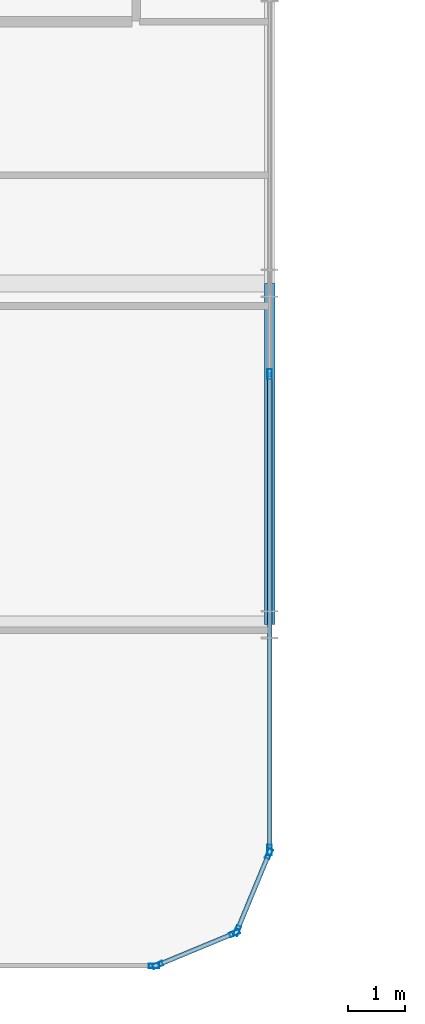
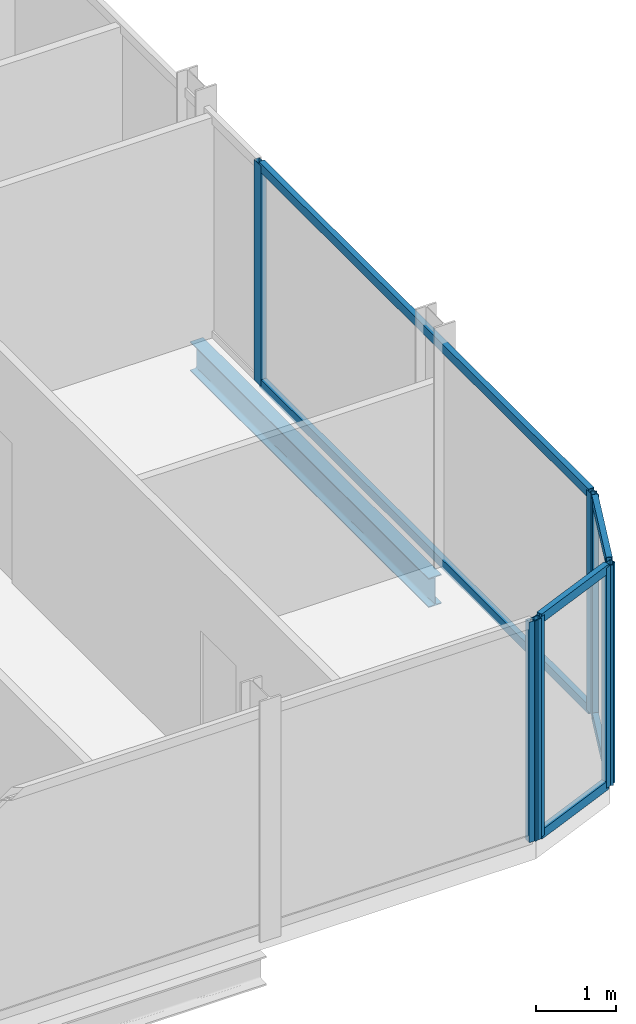
# One storey, part 11 of 32: 13 members, 1 beam, 4 elements without a shape of their own.
"""IFC4 building model written with IfcOpenShell, lengths in metres."""

import ifcopenshell
import ifcopenshell.guid

model = None  # the IFC model being written
_history = None  # IfcOwnerHistory: only IFC2X3 demands one
_inside = {}  # id of a spatial element -> (the spatial element, [elements in it])
_under = {}  # id of a project, library or spatial element -> (it, [spatial elements below it])
_declared = {}  # id of a project -> (the project, [libraries it declares])
_typed = {}  # id of a type object -> (the type object, [elements of that type])
_made_of = {}  # id of a material, layer set ... -> (it, [elements and type objects made of it])


def new_model(schema):
    """Start an empty IFC model of exactly this schema.

    Asked for "IFC4X3", IfcOpenShell would pick the latest addendum, in which some entities
    have other attributes; the version numbers below select the first issue.
    IFC2X3 requires an IfcOwnerHistory on every rooted entity: one is made here for all.
    """
    global model, _history
    if schema == "IFC4X3":
        model = ifcopenshell.file(schema_version=(4, 3, 0, 0))
    else:
        model = ifcopenshell.file(schema=schema)
    _inside.clear()
    _under.clear()
    _declared.clear()
    _typed.clear()
    _made_of.clear()
    _history = None
    if model.schema == "IFC2X3":
        org = make("IfcOrganization", Name="unknown")
        user = make(
            "IfcPersonAndOrganization",
            ThePerson=make("IfcPerson", FamilyName="unknown"),
            TheOrganization=org,
        )
        app = make(
            "IfcApplication",
            ApplicationDeveloper=org,
            Version="unknown",
            ApplicationFullName="unknown",
            ApplicationIdentifier="unknown",
        )
        _history = make(
            "IfcOwnerHistory",
            OwningUser=user,
            OwningApplication=app,
            ChangeAction="ADDED",
            CreationDate=0,
        )
    return model


def make(cls, **values):
    """One entity of the class cls with the attributes given. An attribute that is None is left unset."""
    return model.create_entity(
        cls, **{name: value for name, value in values.items() if value is not None}
    )


def rooted(cls, **values):
    """An entity with a GlobalId (a new one), such as an element, a storey or a relation."""
    return make(cls, GlobalId=ifcopenshell.guid.new(), OwnerHistory=_history, **values)


def si_unit(unit_type, name, prefix=None):
    """IfcSIUnit, for example si_unit("LENGTHUNIT", "METRE", prefix="MILLI")."""
    return make("IfcSIUnit", UnitType=unit_type, Prefix=prefix, Name=name)


def assignment(units):
    """IfcUnitAssignment: the units of a project."""
    return None if units is None else make("IfcUnitAssignment", Units=units)


def point(xyz):
    """IfcCartesianPoint."""
    return None if xyz is None else make("IfcCartesianPoint", Coordinates=xyz)


def direction(xyz):
    """IfcDirection."""
    return None if xyz is None else make("IfcDirection", DirectionRatios=xyz)


def frame(location, z_axis=None, x_axis=None):
    """IfcAxis2Placement3D, a coordinate frame: its origin and axes. An axis left out is left unset."""
    return make(
        "IfcAxis2Placement3D",
        Location=point(location),
        Axis=direction(z_axis),
        RefDirection=direction(x_axis),
    )


def frame_2d(location, x_axis=None):
    """IfcAxis2Placement2D, a coordinate frame in the plane: its origin and x axis."""
    return make(
        "IfcAxis2Placement2D", Location=point(location), RefDirection=direction(x_axis)
    )


def origin():
    """The frame at (0, 0, 0) with its axes left unset."""
    return frame((0.0, 0.0, 0.0))


def origin_2d():
    """The frame at (0, 0) in the plane with its x axis left unset."""
    return frame_2d((0.0, 0.0))


def place(relative_to, where):
    """IfcLocalPlacement: puts the frame where relative to a parent placement (None: the world)."""
    return make(
        "IfcLocalPlacement", PlacementRelTo=relative_to, RelativePlacement=where
    )


def context(
    kind, dimensions, precision=None, world=None, true_north=None, identifier=None
):
    """IfcGeometricRepresentationContext, for example the 3D "Model" context."""
    return make(
        "IfcGeometricRepresentationContext",
        ContextIdentifier=identifier,
        ContextType=kind,
        CoordinateSpaceDimension=dimensions,
        Precision=precision,
        WorldCoordinateSystem=world,
        TrueNorth=true_north,
    )


def subcontext(parent, identifier, kind, view, scale=None):
    """IfcGeometricRepresentationSubContext, for example "Body" below "Model"."""
    return make(
        "IfcGeometricRepresentationSubContext",
        ContextIdentifier=identifier,
        ContextType=kind,
        ParentContext=parent,
        TargetScale=scale,
        TargetView=view,
    )


def project(units=None, contexts=None):
    """IfcProject with its units and contexts."""
    return rooted(
        "IfcProject",
        Name="project",
        RepresentationContexts=contexts,
        UnitsInContext=assignment(units),
    )


def spatial(cls, under=None, at=None, **own):
    """A site, building, storey or space (cls), placed at a placement, below another one or the project."""
    s = rooted(cls, ObjectPlacement=at, **own)
    if under is not None:
        _under.setdefault(under.id(), (under, []))[1].append(s)
    return s


def profile(cls, at=None, kind="AREA", **sizes):
    """A parametric profile (cls). Its sizes go by their IFC names, for example OverallWidth=200.0."""
    return make(cls, ProfileType=kind, Position=at, **sizes)


def hollow_rectangle(**sizes):
    """IfcRectangleHollowProfileDef."""
    return profile("IfcRectangleHollowProfileDef", **sizes)


def i_section(**sizes):
    """IfcIShapeProfileDef."""
    return profile("IfcIShapeProfileDef", **sizes)


def extrude(swept, where, along, depth):
    """IfcExtrudedAreaSolid: the profile swept, set in the frame where, extruded along a direction by depth."""
    return make(
        "IfcExtrudedAreaSolid",
        SweptArea=swept,
        Position=where,
        ExtrudedDirection=direction(along),
        Depth=depth,
    )


def shape(context_of_items, identifier, shape_type, items):
    """IfcShapeRepresentation: the items that make up one representation, for example the "Body"."""
    return make(
        "IfcShapeRepresentation",
        ContextOfItems=context_of_items,
        RepresentationIdentifier=identifier,
        RepresentationType=shape_type,
        Items=items,
    )


def material(Name=None, Category=None):
    """IfcMaterial."""
    return make("IfcMaterial", Name=Name, Category=Category)


def layer(
    of_material, thickness, ventilated=None, Name=None, Category=None, Priority=None
):
    """IfcMaterialLayer: one layer of a wall or slab, of a material (None: an air gap)."""
    return make(
        "IfcMaterialLayer",
        Material=of_material,
        LayerThickness=thickness,
        IsVentilated=ventilated,
        Name=Name,
        Category=Category,
        Priority=Priority,
    )


def layer_set(layers, Name=None):
    """IfcMaterialLayerSet."""
    return make("IfcMaterialLayerSet", MaterialLayers=layers, LayerSetName=Name)


def material_profile(
    of_material, cross_section, Name=None, Category=None, Priority=None
):
    """IfcMaterialProfile: a cross section and its material."""
    return make(
        "IfcMaterialProfile",
        Name=Name,
        Material=of_material,
        Profile=cross_section,
        Priority=Priority,
        Category=Category,
    )


def profile_set(profiles, Name=None, composite=None):
    """IfcMaterialProfileSet."""
    return make(
        "IfcMaterialProfileSet",
        Name=Name,
        MaterialProfiles=profiles,
        CompositeProfile=composite,
    )


def made_of(thing, what):
    """Note that an element or type object is made of a material, layer set ...; save() writes the relation."""
    if what is not None:
        _made_of.setdefault(what.id(), (what, []))[1].append(thing)
    return thing


def type_object(cls, material=None, **own):
    """A type object (cls), such as IfcWallType, which elements share."""
    return made_of(rooted(cls, **own), material)


def element(
    cls,
    number,
    at=None,
    inside=None,
    cuts=None,
    type_object=None,
    material=None,
    context=None,
    identifier="Body",
    shape_type=None,
    held_by="IfcProductDefinitionShape",
    body=None,
    shapes=None,
    **own,
):
    """One element of the class cls, such as IfcWall. Its Tag is "e" and its number.

    at: its placement. inside: the storey or other place that contains it. cuts: it is an
    opening in that element (IfcRelVoidsElement). A single representation is given by context,
    identifier, shape_type and body (its items); several are given by shapes. held_by: the class
    of the entity that holds the representations. save() writes the other relations.
    """
    e = rooted(cls, Tag="e%d" % number, ObjectPlacement=at, **own)
    if body is not None:
        shapes = [shape(context, identifier, shape_type, body)]
    if shapes is not None:
        e.Representation = make(held_by, Representations=shapes)
    if inside is not None:
        _inside.setdefault(inside.id(), (inside, []))[1].append(e)
    if cuts is not None:
        rooted(
            "IfcRelVoidsElement", RelatingBuildingElement=cuts, RelatedOpeningElement=e
        )
    if type_object is not None:
        _typed.setdefault(type_object.id(), (type_object, []))[1].append(e)
    return made_of(e, material)


def aggregate(whole, parts):
    """IfcRelAggregates: a whole, such as a stair, and the parts it consists of."""
    return rooted("IfcRelAggregates", RelatingObject=whole, RelatedObjects=parts)


def save(model, path):
    """Write the relations noted so far, then the file.

    IfcRelAggregates (storeys below a building ...), IfcRelContainedInSpatialStructure (elements
    in a storey), IfcRelDefinesByType, IfcRelAssociatesMaterial and IfcRelDeclares: one each for
    every whole, place, type object, material and project.
    """
    for whole, parts in _under.values():
        aggregate(whole, parts)
    for where, things in _inside.values():
        rooted(
            "IfcRelContainedInSpatialStructure",
            RelatedElements=things,
            RelatingStructure=where,
        )
    for kind, things in _typed.values():
        rooted("IfcRelDefinesByType", RelatedObjects=things, RelatingType=kind)
    for what, things in _made_of.values():
        rooted("IfcRelAssociatesMaterial", RelatedObjects=things, RelatingMaterial=what)
    for by, libraries in _declared.values():
        rooted("IfcRelDeclares", RelatingContext=by, RelatedDefinitions=libraries)
    model.write(path)


model = new_model("IFC4")

# Units and contexts
model_context = context("Model", 3, precision=1e-05, world=origin(), true_north=direction((0.0, 1.0)))
body_context = subcontext(model_context, "Body", "Model", "MODEL_VIEW")
ifc_project = project(units=[si_unit("LENGTHUNIT", "METRE"), si_unit("AREAUNIT", "SQUARE_METRE"), si_unit("VOLUMEUNIT", "CUBIC_METRE"), si_unit("PLANEANGLEUNIT", "RADIAN"), si_unit("MASSUNIT", "GRAM", prefix="KILO")], contexts=[model_context])

# Site, building, storey
site_placement = place(None, origin())
site = spatial("IfcSite", under=ifc_project, at=site_placement, CompositionType="ELEMENT")
building_placement = place(site_placement, origin())
building = spatial("IfcBuilding", under=site, at=building_placement, Name="Keshet Zoharim Tower", CompositionType="ELEMENT")
storey_placement = place(building_placement, frame((0.0, 0.0, 152.0)))
storey = spatial("IfcBuildingStorey", under=building, at=storey_placement, Name="L37", CompositionType="ELEMENT", Elevation=152.0)

# Beam
ifc_material_1 = material(Name="Steel S355", Category="steel")
ifc_material_profile_1 = material_profile(ifc_material_1, i_section(OverallWidth=0.18994140625, OverallDepth=0.449951171875, WebThickness=0.009521484375, FlangeThickness=0.0146484375, FilletRadius=0.02099609375, at=origin_2d()), Name="IPE450")
ifc_profile_set_1 = profile_set([ifc_material_profile_1], Name="Steel S355")
beam_type = type_object("IfcBeamType", Name="BM-PRI-IP450", PredefinedType="BEAM", material=ifc_profile_set_1)
beam_placement = place(storey_placement, frame((57.0, 6.699951171875, -0.5400390625), z_axis=(0.0, 1.0, 0.0), x_axis=(-1.0, 0.0, 0.0)))
element("IfcBeam", 1, at=beam_placement, inside=storey, type_object=beam_type, Name="L37 Primary Girder Y-013", PredefinedType="BEAM", context=body_context, shape_type="SweptSolid", body=[
    extrude(i_section(OverallWidth=0.18994140625, OverallDepth=0.449951171875, WebThickness=0.009521484375, FlangeThickness=0.0146484375, FilletRadius=0.02099609375, at=origin_2d()), origin(), (0.0, 0.0, 1.0), 6.0),
])

# Curtain wall, members
ifc_material_2 = material(Name="Aluminium 6063-T6", Category="aluminium")
ifc_layer = layer(ifc_material_2, 0.159912109375)
ifc_layer_set = layer_set([ifc_layer], Name="Aluminium 6063-T6")
curtain_wall_type = type_object("IfcCurtainWallType", Name="CW-SYS-03", PredefinedType="NOTDEFINED", material=ifc_layer_set)
curtain_wall_1_placement = place(storey_placement, origin())
curtain_wall_1 = element("IfcCurtainWall", 2, at=curtain_wall_1_placement, inside=storey, type_object=curtain_wall_type, Name="L37 Unitised Curtain Wall 01", PredefinedType="NOTDEFINED")
ifc_material_profile_2 = material_profile(ifc_material_2, hollow_rectangle(XDim=0.080078125, YDim=0.179931640625, WallThickness=0.00439453125, at=origin_2d()), Name="MUL-80x180")
ifc_profile_set_2 = profile_set([ifc_material_profile_2], Name="Aluminium 6063-T6")
member_type_1 = type_object("IfcMemberType", Name="CWM-M18", PredefinedType="MULLION", material=ifc_profile_set_2)
member_1_placement = place(storey_placement, frame((56.986572265625, 2.667724609375, 0.0), z_axis=(0.0, 0.0, 1.0), x_axis=(0.92380975372, -0.382851849847, 0.0)))
member_1 = element("IfcMember", 3, at=member_1_placement, type_object=member_type_1, Name="CW-03 mullion 1", PredefinedType="MULLION", context=body_context, shape_type="SweptSolid", body=[
    extrude(hollow_rectangle(XDim=0.080078125, YDim=0.179931640625, WallThickness=0.00439453125, at=origin_2d()), origin(), (0.0, 0.0, 1.0), 3.385009765625),
])
member_2_placement = place(storey_placement, frame((56.427490234375, 1.318359375, 0.0), z_axis=(0.0, 0.0, 1.0), x_axis=(0.92380975372, -0.382851849847, 0.0)))
member_2 = element("IfcMember", 4, at=member_2_placement, type_object=member_type_1, Name="CW-03 mullion 2", PredefinedType="MULLION", context=body_context, shape_type="SweptSolid", body=[
    extrude(hollow_rectangle(XDim=0.080078125, YDim=0.179931640625, WallThickness=0.00439453125, at=origin_2d()), origin(), (0.0, 0.0, 1.0), 3.385009765625),
])

curtain_wall_2_placement = place(storey_placement, origin())
curtain_wall_2 = element("IfcCurtainWall", 5, at=curtain_wall_2_placement, inside=storey, type_object=curtain_wall_type, Name="L37 Unitised Curtain Wall 02", PredefinedType="NOTDEFINED")
member_3_placement = place(storey_placement, frame((56.381591796875, 1.272705078125, 0.0), z_axis=(0.0, 0.0, 1.0), x_axis=(0.382851849847, -0.92380975372, 0.0)))
member_3 = element("IfcMember", 6, at=member_3_placement, type_object=member_type_1, Name="CW-03 mullion 1", PredefinedType="MULLION", context=body_context, shape_type="SweptSolid", body=[
    extrude(hollow_rectangle(XDim=0.080078125, YDim=0.179931640625, WallThickness=0.00439453125, at=origin_2d()), origin(), (0.0, 0.0, 1.0), 3.385009765625),
])
member_4_placement = place(storey_placement, frame((55.0322265625, 0.71337890625, 0.0), z_axis=(0.0, 0.0, 1.0), x_axis=(0.382851849847, -0.92380975372, 0.0)))
member_4 = element("IfcMember", 7, at=member_4_placement, type_object=member_type_1, Name="CW-03 mullion 2", PredefinedType="MULLION", context=body_context, shape_type="SweptSolid", body=[
    extrude(hollow_rectangle(XDim=0.080078125, YDim=0.179931640625, WallThickness=0.00439453125, at=origin_2d()), origin(), (0.0, 0.0, 1.0), 3.385009765625),
])

# Curtain wall, member
curtain_wall_3_placement = place(storey_placement, origin())
curtain_wall_3 = element("IfcCurtainWall", 8, at=curtain_wall_3_placement, inside=storey, type_object=curtain_wall_type, Name="L37 Unitised Curtain Wall 03", PredefinedType="NOTDEFINED")
member_5_placement = place(storey_placement, frame((54.965087890625, 0.699951171875, 0.0), z_axis=(0.0, 0.0, 1.0), x_axis=(0.0, -1.0, 0.0)))
member_5 = element("IfcMember", 9, at=member_5_placement, type_object=member_type_1, Name="CW-03 mullion 1", PredefinedType="MULLION", context=body_context, shape_type="SweptSolid", body=[
    extrude(hollow_rectangle(XDim=0.080078125, YDim=0.179931640625, WallThickness=0.00439453125, at=origin_2d()), origin(), (0.0, 0.0, 1.0), 3.385009765625),
])
aggregate(curtain_wall_3, [member_5])

# Curtain wall, members
curtain_wall_4_placement = place(storey_placement, origin())
curtain_wall_4 = element("IfcCurtainWall", 10, at=curtain_wall_4_placement, inside=storey, type_object=curtain_wall_type, Name="L37 Unitised Curtain Wall 19", PredefinedType="NOTDEFINED")
member_6_placement = place(storey_placement, frame((57.0, 11.10009765625, 0.0), z_axis=(0.0, 0.0, 1.0), x_axis=(1.0, 0.0, 0.0)))
member_6 = element("IfcMember", 11, at=member_6_placement, type_object=member_type_1, Name="CW-03 mullion 3", PredefinedType="MULLION", context=body_context, shape_type="SweptSolid", body=[
    extrude(hollow_rectangle(XDim=0.080078125, YDim=0.179931640625, WallThickness=0.00439453125, at=origin_2d()), origin(), (0.0, 0.0, 1.0), 3.385009765625),
])
member_7_placement = place(storey_placement, frame((57.0, 2.735107421875, 0.0), z_axis=(0.0, 0.0, 1.0), x_axis=(1.0, 0.0, 0.0)))
member_7 = element("IfcMember", 12, at=member_7_placement, type_object=member_type_1, Name="CW-03 mullion 4", PredefinedType="MULLION", context=body_context, shape_type="SweptSolid", body=[
    extrude(hollow_rectangle(XDim=0.080078125, YDim=0.179931640625, WallThickness=0.00439453125, at=origin_2d()), origin(), (0.0, 0.0, 1.0), 3.385009765625),
])

# Member
ifc_material_profile_3 = material_profile(ifc_material_2, hollow_rectangle(XDim=0.080078125, YDim=0.139892578125, WallThickness=0.00390625, at=origin_2d()), Name="TRN-80x140")
ifc_profile_set_3 = profile_set([ifc_material_profile_3], Name="Aluminium 6063-T6")
member_type_2 = type_object("IfcMemberType", Name="CWT-T14", PredefinedType="USERDEFINED", material=ifc_profile_set_3)
member_8_placement = place(storey_placement, frame((56.97314453125, 2.63525390625, 0.034912109375), z_axis=(-0.382744609247, -0.923854189844, 0.0), x_axis=(0.923854189844, -0.382744609247, 0.0)))
member_8 = element("IfcMember", 13, at=member_8_placement, type_object=member_type_2, Name="CW-03 transom 1.1", ObjectType="TRANSOM", PredefinedType="USERDEFINED", context=body_context, shape_type="SweptSolid", body=[
    extrude(hollow_rectangle(XDim=0.080078125, YDim=0.139892578125, WallThickness=0.00390625, at=origin_2d()), origin(), (0.0, 0.0, 1.0), 1.390625),
])

member_9_placement = place(storey_placement, frame((56.97314453125, 2.63525390625, 3.35009765625), z_axis=(-0.382744609247, -0.923854189844, 0.0), x_axis=(0.923854189844, -0.382744609247, 0.0)))
member_9 = element("IfcMember", 14, at=member_9_placement, type_object=member_type_2, Name="CW-03 transom 1.2", ObjectType="TRANSOM", PredefinedType="USERDEFINED", context=body_context, shape_type="SweptSolid", body=[
    extrude(hollow_rectangle(XDim=0.080078125, YDim=0.139892578125, WallThickness=0.00390625, at=origin_2d()), origin(), (0.0, 0.0, 1.0), 1.390625),
])

aggregate(curtain_wall_1, [member_1, member_2, member_8, member_9])

member_10_placement = place(storey_placement, frame((56.349365234375, 1.25927734375, 0.034912109375), z_axis=(-0.92379209995, -0.382894445076, 0.0), x_axis=(0.382894445076, -0.92379209995, 0.0)))
member_10 = element("IfcMember", 15, at=member_10_placement, type_object=member_type_2, Name="CW-03 transom 1.1", ObjectType="TRANSOM", PredefinedType="USERDEFINED", context=body_context, shape_type="SweptSolid", body=[
    extrude(hollow_rectangle(XDim=0.080078125, YDim=0.139892578125, WallThickness=0.00390625, at=origin_2d()), origin(), (0.0, 0.0, 1.0), 1.390625),
])

member_11_placement = place(storey_placement, frame((56.349365234375, 1.25927734375, 3.35009765625), z_axis=(-0.92379209995, -0.382894445076, 0.0), x_axis=(0.382894445076, -0.92379209995, 0.0)))
member_11 = element("IfcMember", 16, at=member_11_placement, type_object=member_type_2, Name="CW-03 transom 1.2", ObjectType="TRANSOM", PredefinedType="USERDEFINED", context=body_context, shape_type="SweptSolid", body=[
    extrude(hollow_rectangle(XDim=0.080078125, YDim=0.139892578125, WallThickness=0.00390625, at=origin_2d()), origin(), (0.0, 0.0, 1.0), 1.390625),
])

aggregate(curtain_wall_2, [member_3, member_4, member_10, member_11])

member_12_placement = place(storey_placement, frame((57.0, 11.06494140625, 0.034912109375), z_axis=(0.0, -1.0, 0.0), x_axis=(1.0, 0.0, 0.0)))
member_12 = element("IfcMember", 17, at=member_12_placement, type_object=member_type_2, Name="CW-03 transom 3.1", ObjectType="TRANSOM", PredefinedType="USERDEFINED", context=body_context, shape_type="SweptSolid", body=[
    extrude(hollow_rectangle(XDim=0.080078125, YDim=0.139892578125, WallThickness=0.00390625, at=origin_2d()), origin(), (0.0, 0.0, 1.0), 8.294921875),
])

member_13_placement = place(storey_placement, frame((57.0, 11.06494140625, 3.35009765625), z_axis=(0.0, -1.0, 0.0), x_axis=(1.0, 0.0, 0.0)))
member_13 = element("IfcMember", 18, at=member_13_placement, type_object=member_type_2, Name="CW-03 transom 3.2", ObjectType="TRANSOM", PredefinedType="USERDEFINED", context=body_context, shape_type="SweptSolid", body=[
    extrude(hollow_rectangle(XDim=0.080078125, YDim=0.139892578125, WallThickness=0.00390625, at=origin_2d()), origin(), (0.0, 0.0, 1.0), 8.294921875),
])

aggregate(curtain_wall_4, [member_6, member_7, member_12, member_13])

save(model, "model.ifc")
